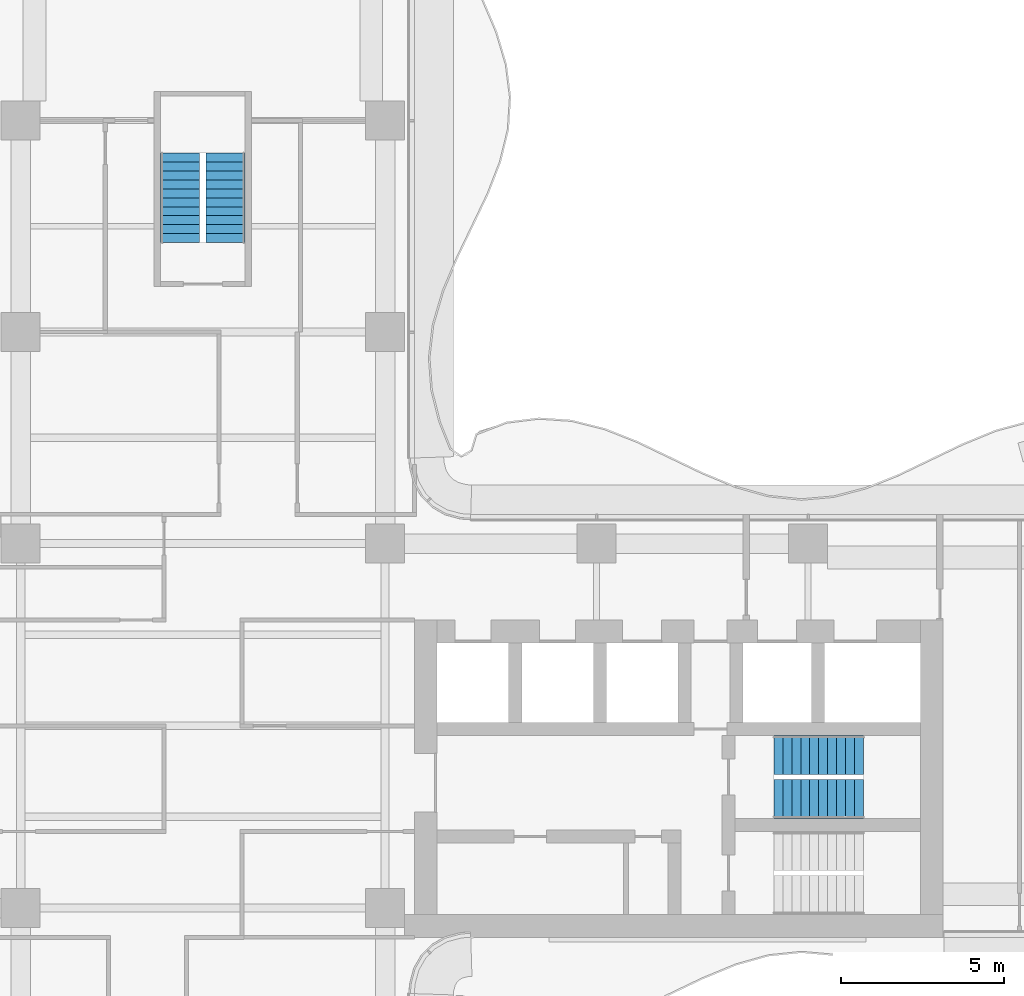
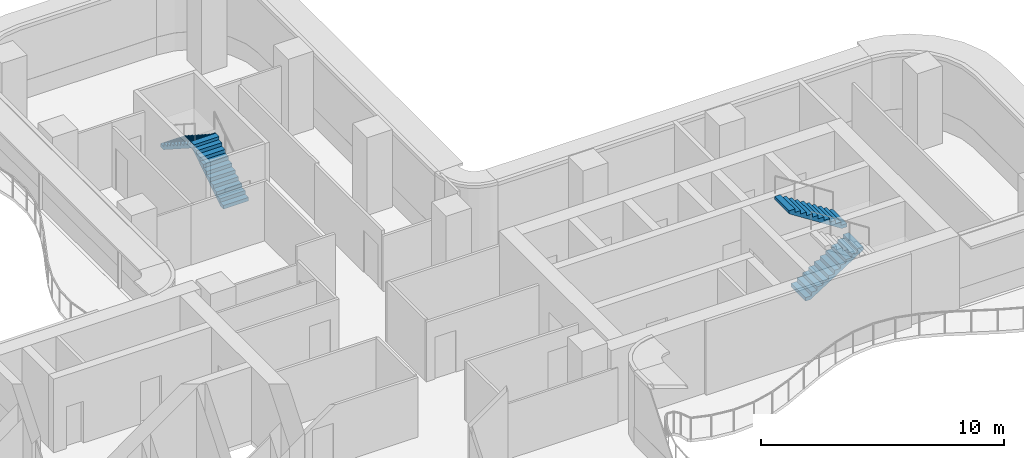
# One storey, part 16 of 18: 4 stair flights, 2 elements without a shape of their own.
"""IFC4 building model written with IfcOpenShell, lengths in metres."""

from ifc_helpers import new_model, si_unit, direction, frame, origin, place, context, subcontext, project, spatial, polyline, outline, extrude, source, transform, mapped, material, type_object, element, aggregate, save


model = new_model("IFC4")

# Units and contexts
model_context = context("Model", 3, precision=1e-05, world=origin(), true_north=direction((0.0, 1.0)))
body_context = subcontext(model_context, "Body", "Model", "MODEL_VIEW")
ifc_project = project(units=[si_unit("LENGTHUNIT", "METRE"), si_unit("AREAUNIT", "SQUARE_METRE"), si_unit("VOLUMEUNIT", "CUBIC_METRE"), si_unit("PLANEANGLEUNIT", "RADIAN"), si_unit("MASSUNIT", "GRAM", prefix="KILO")], contexts=[model_context])

# Site, building, storey
site_placement = place(None, origin())
site = spatial("IfcSite", under=ifc_project, at=site_placement, CompositionType="ELEMENT")
building_placement = place(site_placement, origin())
building = spatial("IfcBuilding", under=site, at=building_placement, Name="Trellis Farm Tower", CompositionType="ELEMENT")
storey_placement = place(building_placement, frame((0.0, 0.0, 169.800048828125)))
storey = spatial("IfcBuildingStorey", under=building, at=storey_placement, Name="L36", CompositionType="ELEMENT", Elevation=169.800048828125)

# Stair, stair flights
ifc_material = material(Name="Concrete C50/60", Category="concrete")
stair_type = type_object("IfcStairType", Name="CORE EXIT STAIR 22 RISERS 177 MM", PredefinedType="HALF_TURN_STAIR", material=ifc_material)
placement = place(storey_placement, origin())
stair_1 = element("IfcStair", 1, at=placement, inside=storey, type_object=stair_type, Name="Exit stair N", PredefinedType="HALF_TURN_STAIR")
stair_flight_type = type_object("IfcStairFlightType", Name="STAIR FLIGHT 11 RISERS 177 MM", PredefinedType="STRAIGHT", material=ifc_material)
shared_shape = source(origin(), body_context, "Body", "SweptSolid", [
    extrude(outline(polyline([(0.0, 0.0), (0.0, 0.17724609375), (0.27490234375, 0.17724609375), (0.27490234375, 0.3544921875), (0.550048828125, 0.3544921875), (0.550048828125, 0.53173828125), (0.824951171875, 0.53173828125), (0.824951171875, 0.708984375), (1.10009765625, 0.708984375), (1.10009765625, 0.886474609375), (1.375, 0.886474609375), (1.375, 1.063720703125), (1.64990234375, 1.063720703125), (1.64990234375, 1.240966796875), (1.925048828125, 1.240966796875), (1.925048828125, 1.418212890625), (2.199951171875, 1.418212890625), (2.199951171875, 1.595458984375), (2.47509765625, 1.595458984375), (2.47509765625, 1.772705078125), (2.75, 1.772705078125), (2.75, 1.949951171875), (2.75, 1.6181640625), (0.23974609375, 0.0), (0.0, 0.0)])), frame((0.0, 0.60009765625, 0.0), z_axis=(0.0, -1.0, 0.0), x_axis=(1.0, 0.0, 0.0)), (0.0, 0.0, 1.0), 1.199951171875),
])
stair_flight_1_placement = place(storey_placement, frame((0.699951171875, 14.85009765625, 0.0), z_axis=(0.0, 0.0, 1.0), x_axis=(0.0, 1.0, 0.0)))
stair_flight_1 = element("IfcStairFlight", 2, at=stair_flight_1_placement, type_object=stair_flight_type, Name="STN flight 1", NumberOfRisers=11, NumberOfTreads=10, PredefinedType="STRAIGHT", RiserHeight=0.177272727, TreadLength=0.275, context=body_context, shape_type="MappedRepresentation", body=[
    mapped(shared_shape, transform((0.0, 0.0, 0.0))),
])
stair_flight_2_placement = place(storey_placement, frame((-0.699951171875, 17.60009765625, 1.949951171875), z_axis=(0.0, 0.0, 1.0), x_axis=(0.0, -1.0, 0.0)))
stair_flight_2 = element("IfcStairFlight", 3, at=stair_flight_2_placement, type_object=stair_flight_type, Name="STN flight 2", NumberOfRisers=11, NumberOfTreads=10, PredefinedType="STRAIGHT", RiserHeight=0.177272727, TreadLength=0.275, context=body_context, shape_type="MappedRepresentation", body=[
    mapped(shared_shape, transform((0.0, 0.0, 0.0))),
])
aggregate(stair_1, [stair_flight_1, stair_flight_2])

stair_2 = element("IfcStair", 4, at=placement, inside=storey, type_object=stair_type, Name="Exit stair E2", PredefinedType="HALF_TURN_STAIR")
stair_flight_3_placement = place(storey_placement, frame((17.550048828125, -2.25, 0.0), z_axis=(0.0, 0.0, 1.0), x_axis=(1.0, 0.0, 0.0)))
stair_flight_3 = element("IfcStairFlight", 5, at=stair_flight_3_placement, type_object=stair_flight_type, Name="STE2 flight 1", NumberOfRisers=11, NumberOfTreads=10, PredefinedType="STRAIGHT", RiserHeight=0.177272727, TreadLength=0.275, context=body_context, shape_type="MappedRepresentation", body=[
    mapped(shared_shape, transform((0.0, 0.0, 0.0))),
])
stair_flight_4_placement = place(storey_placement, frame((20.300048828125, -0.89990234375, 1.949951171875), z_axis=(0.0, 0.0, 1.0), x_axis=(-1.0, 0.0, 0.0)))
stair_flight_4 = element("IfcStairFlight", 6, at=stair_flight_4_placement, type_object=stair_flight_type, Name="STE2 flight 2", NumberOfRisers=11, NumberOfTreads=10, PredefinedType="STRAIGHT", RiserHeight=0.177272727, TreadLength=0.275, context=body_context, shape_type="MappedRepresentation", body=[
    mapped(shared_shape, transform((0.0, 0.0, 0.0))),
])
aggregate(stair_2, [stair_flight_3, stair_flight_4])

save(model, "model.ifc")
